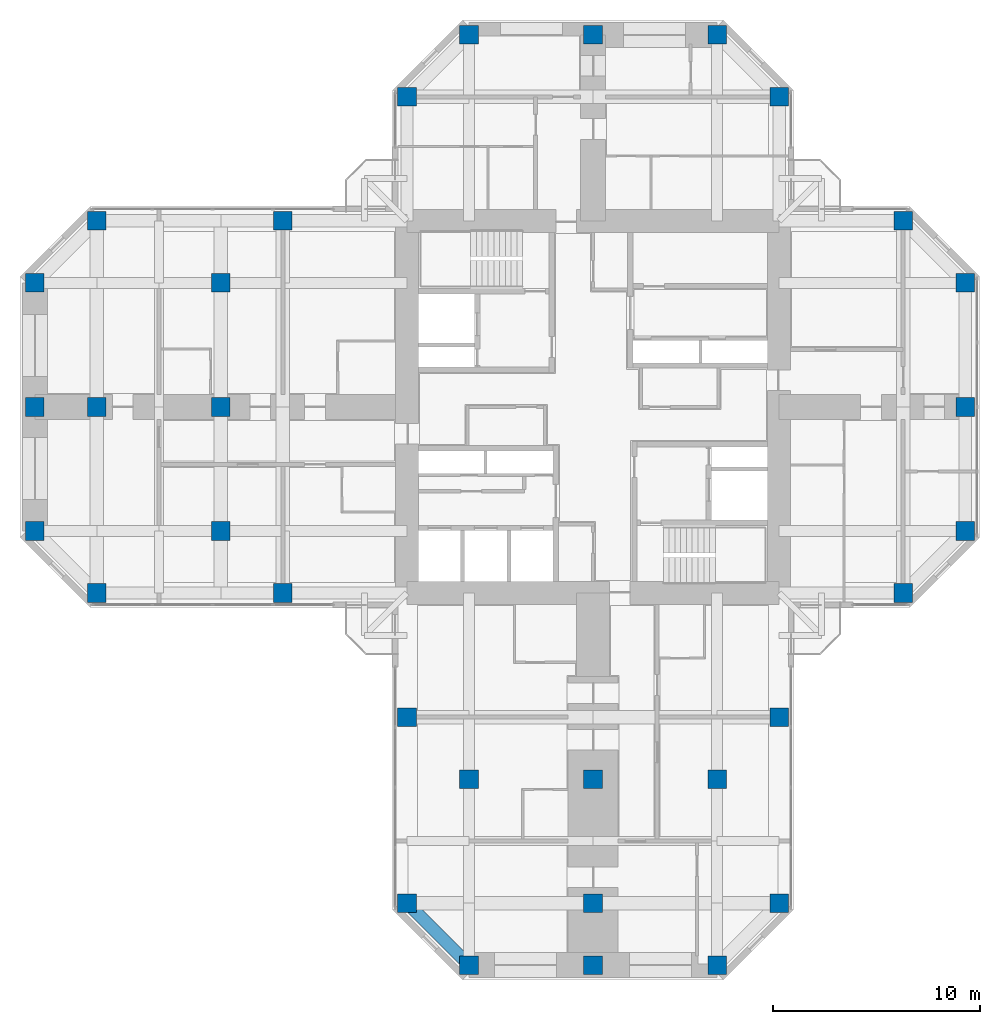
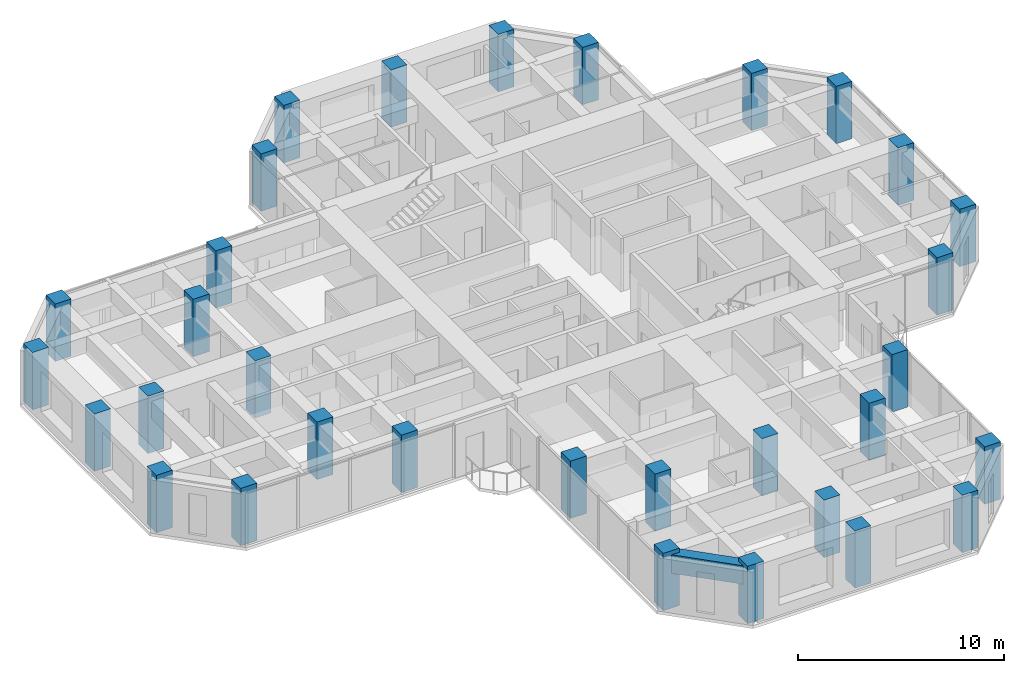
# One storey, part 1 of 14: 32 columns, 1 beam.
"""IFC4 building model written with IfcOpenShell, lengths in metres."""

from ifc_helpers import new_model, si_unit, direction, frame, origin, origin_2d, place, context, subcontext, project, spatial, rectangle, extrude, material, material_profile, profile_set, type_object, element, save


model = new_model("IFC4")

# Units and contexts
model_context = context("Model", 3, precision=1e-05, world=origin(), true_north=direction((0.0, 1.0)))
body_context = subcontext(model_context, "Body", "Model", "MODEL_VIEW")
ifc_project = project(units=[si_unit("LENGTHUNIT", "METRE"), si_unit("AREAUNIT", "SQUARE_METRE"), si_unit("VOLUMEUNIT", "CUBIC_METRE"), si_unit("PLANEANGLEUNIT", "RADIAN"), si_unit("MASSUNIT", "GRAM", prefix="KILO")], contexts=[model_context])

# Site, building, storey
site_placement = place(None, origin())
site = spatial("IfcSite", under=ifc_project, at=site_placement, CompositionType="ELEMENT")
building_placement = place(site_placement, origin())
building = spatial("IfcBuilding", under=site, at=building_placement, Name="Torre Cruceta", CompositionType="ELEMENT")
storey_placement = place(building_placement, frame((0.0, 0.0, 213.699951171875)))
storey = spatial("IfcBuildingStorey", under=building, at=storey_placement, Name="L54", CompositionType="ELEMENT", Elevation=213.699951171875)

# Columns
ifc_material_1 = material(Name="Concrete G60 (fck 60 MPa)", Category="concrete")
ifc_material_profile_1 = material_profile(ifc_material_1, rectangle(XDim=0.89990234375, YDim=0.89990234375, at=origin_2d()), Name="RC 900X900")
ifc_profile_set_1 = profile_set([ifc_material_profile_1], Name="Concrete G60 (fck 60 MPa)")
column_type = type_object("IfcColumnType", Name="COLUMN RC 900X900", PredefinedType="COLUMN", material=ifc_profile_set_1)
for number, where, z_axis, x_axis, name in (
    (1, (9.0, 15.0, 0.0), (0.0, 0.0, 1.0), (1.0, 0.0, 0.0), "C6 L54 N chamfer"),
    (2, (-9.0, 15.0, 0.0), (0.0, 0.0, 1.0), (1.0, 0.0, 0.0), "C6 L54 N chamfer"),
    (3, (6.0, 18.0, 0.0), (0.0, 0.0, 1.0), (1.0, 0.0, 0.0), "C6 L54 N tip"),
    (4, (0.0, 18.0, 0.0), (0.0, 0.0, 1.0), (1.0, 0.0, 0.0), "C6 L54 N tip"),
    (5, (-6.0, 18.0, 0.0), (0.0, 0.0, 1.0), (1.0, 0.0, 0.0), "C6 L54 N tip"),
    (6, (15.0, -9.0, 0.0), (0.0, 0.0, 1.0), (1.0, 0.0, 0.0), "C6 L54 E chamfer"),
    (7, (15.0, 9.0, 0.0), (0.0, 0.0, 1.0), (1.0, 0.0, 0.0), "C6 L54 E chamfer"),
    (8, (18.0, -6.0, 0.0), (0.0, 0.0, 1.0), (1.0, 0.0, 0.0), "C6 L54 E tip"),
    (9, (18.0, 0.0, 0.0), (0.0, 0.0, 1.0), (1.0, 0.0, 0.0), "C6 L54 E tip"),
    (10, (18.0, 6.0, 0.0), (0.0, 0.0, 1.0), (1.0, 0.0, 0.0), "C6 L54 E tip"),
    (11, (-9.0, -15.0, 0.0), (0.0, 0.0, 1.0), (1.0, 0.0, 0.0), "C6 L54 S side"),
    (12, (-9.0, -24.0, 0.0), (0.0, 0.0, 1.0), (1.0, 0.0, 0.0), "C6 L54 S chamfer"),
    (13, (9.0, -15.0, 0.0), (0.0, 0.0, 1.0), (1.0, 0.0, 0.0), "C6 L54 S side"),
    (14, (9.0, -24.0, 0.0), (0.0, 0.0, 1.0), (1.0, 0.0, 0.0), "C6 L54 S chamfer"),
    (15, (-6.0, -27.0, 0.0), (0.0, 0.0, 1.0), (1.0, 0.0, 0.0), "C6 L54 S tip"),
    (16, (0.0, -27.0, 0.0), (0.0, 0.0, 1.0), (1.0, 0.0, 0.0), "C6 L54 S tip"),
    (17, (6.0, -27.0, 0.0), (0.0, 0.0, 1.0), (1.0, 0.0, 0.0), "C6 L54 S tip"),
    (18, (-15.0, 9.0, 0.0), (0.0, 0.0, 1.0), (1.0, 0.0, 0.0), "C6 L54 W side"),
    (19, (-24.0, 9.0, 0.0), (0.0, 0.0, 1.0), (1.0, 0.0, 0.0), "C6 L54 W chamfer"),
    (20, (-15.0, -9.0, 0.0), (0.0, 0.0, 1.0), (1.0, 0.0, 0.0), "C6 L54 W side"),
    (21, (-24.0, -9.0, 0.0), (0.0, 0.0, 1.0), (1.0, 0.0, 0.0), "C6 L54 W chamfer"),
    (22, (-27.0, 6.0, 0.0), (0.0, 0.0, 1.0), (1.0, 0.0, 0.0), "C6 L54 W tip"),
    (23, (-27.0, 0.0, 0.0), (0.0, 0.0, 1.0), (1.0, 0.0, 0.0), "C6 L54 W tip"),
    (24, (-27.0, -6.0, 0.0), (0.0, 0.0, 1.0), (1.0, 0.0, 0.0), "C6 L54 W tip"),
    (25, (-6.0, -18.0, 0.0), (0.0, 0.0, 1.0), (1.0, 0.0, 0.0), "C6 L54 S interior"),
    (26, (0.0, -18.0, 0.0), (0.0, 0.0, 1.0), (1.0, 0.0, 0.0), "C6 L54 S interior"),
    (27, (6.0, -18.0, 0.0), (0.0, 0.0, 1.0), (1.0, 0.0, 0.0), "C6 L54 S interior"),
    (28, (0.0, -24.0, 0.0), (0.0, 0.0, 1.0), (1.0, 0.0, 0.0), "C6 L54 S interior"),
    (29, (-18.0, 6.0, 0.0), (0.0, 0.0, 1.0), (1.0, 0.0, 0.0), "C6 L54 W interior"),
    (30, (-18.0, 0.0, 0.0), (0.0, 0.0, 1.0), (1.0, 0.0, 0.0), "C6 L54 W interior"),
    (31, (-18.0, -6.0, 0.0), (0.0, 0.0, 1.0), (1.0, 0.0, 0.0), "C6 L54 W interior"),
    (32, (-24.0, 0.0, 0.0), (0.0, 0.0, 1.0), (1.0, 0.0, 0.0), "C6 L54 W interior"),
):
    element("IfcColumn", number, at=place(storey_placement, frame(where, z_axis=z_axis, x_axis=x_axis)), inside=storey, type_object=column_type, Name=name, PredefinedType="COLUMN", context=body_context, shape_type="SweptSolid", body=[
        extrude(rectangle(XDim=0.89990234375, YDim=0.89990234375, at=origin_2d()), origin(), (0.0, 0.0, 1.0), 3.400146484375),
    ])

# Beam
ifc_material_2 = material(Name="Concrete G60 (fck 60 MPa)", Category="concrete")
ifc_material_profile_2 = material_profile(ifc_material_2, rectangle(XDim=0.60009765625, YDim=1.10009765625, at=origin_2d()), Name="RC 600X1100")
ifc_profile_set_2 = profile_set([ifc_material_profile_2], Name="Concrete G60 (fck 60 MPa)")
beam_type = type_object("IfcBeamType", Name="SPANDREL BEAM RC 600X1100", PredefinedType="SPANDREL", material=ifc_profile_set_2)
beam_placement = place(storey_placement, frame((-9.0, -24.0, 2.60009765625), z_axis=(0.707106781187, -0.707106781187, 0.0), x_axis=(0.707106781187, 0.707106781187, 0.0)))
element("IfcBeam", 33, at=beam_placement, inside=storey, type_object=beam_type, Name="SB2 L54 S side- 5", PredefinedType="SPANDREL", context=body_context, shape_type="SweptSolid", body=[
    extrude(rectangle(XDim=0.60009765625, YDim=1.10009765625, at=origin_2d()), origin(), (0.0, 0.0, 1.0), 4.24267578125),
])

save(model, "model.ifc")
